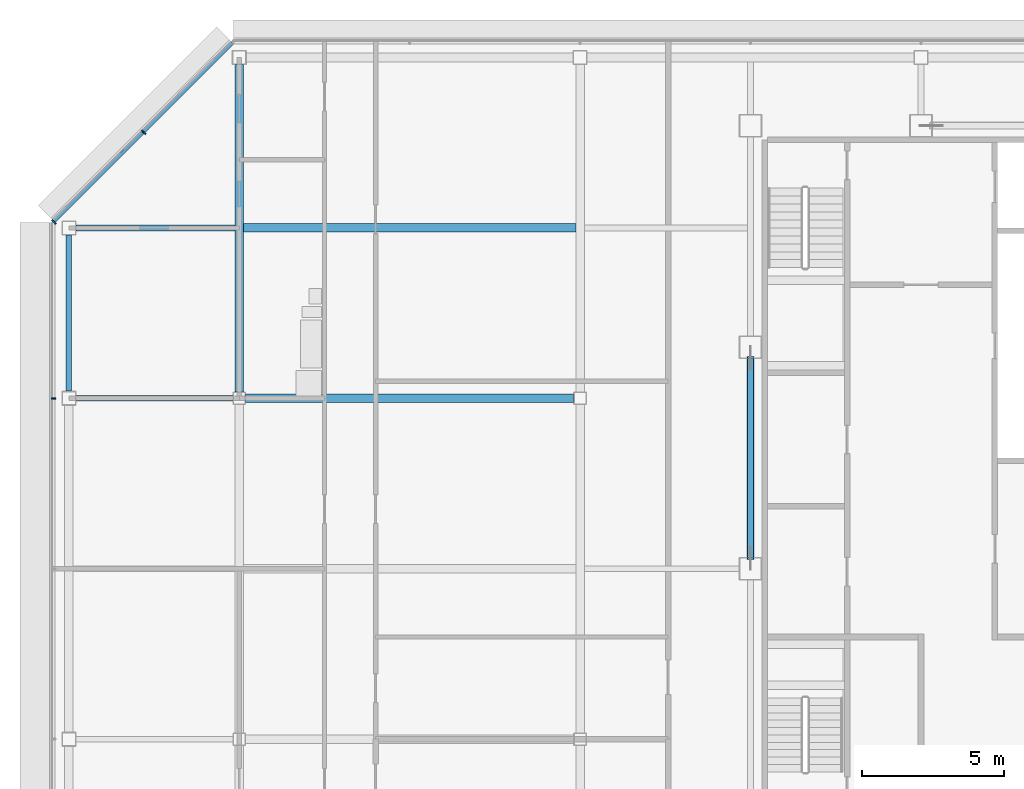
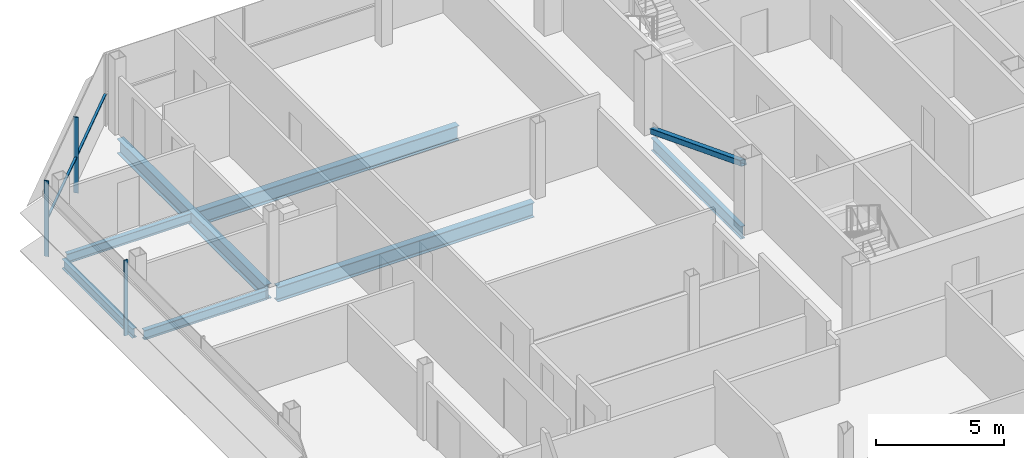
# One storey, part 13 of 28: 7 beams, 5 members, 2 elements without a shape of their own.
"""IFC4 building model written with IfcOpenShell, lengths in metres."""

from ifc_helpers import new_model, si_unit, direction, frame, origin, origin_2d, place, context, subcontext, project, spatial, rectangle, hollow_rectangle, i_section, extrude, material, material_profile, profile_set, type_object, element, aggregate, save


model = new_model("IFC4")

# Units and contexts
model_context = context("Model", 3, precision=1e-05, world=origin(), true_north=direction((0.0, 1.0)))
body_context = subcontext(model_context, "Body", "Model", "MODEL_VIEW")
ifc_project = project(units=[si_unit("LENGTHUNIT", "METRE"), si_unit("AREAUNIT", "SQUARE_METRE"), si_unit("VOLUMEUNIT", "CUBIC_METRE"), si_unit("PLANEANGLEUNIT", "RADIAN"), si_unit("MASSUNIT", "GRAM", prefix="KILO")], contexts=[model_context])

# Site, building, storey
site_placement = place(None, origin())
site = spatial("IfcSite", under=ifc_project, at=site_placement, CompositionType="ELEMENT")
building_placement = place(site_placement, origin())
building = spatial("IfcBuilding", under=site, at=building_placement, Name="Sorahane Residences", CompositionType="ELEMENT")
storey_placement = place(building_placement, frame((0.0, 0.0, 308.800048828125)))
storey = spatial("IfcBuildingStorey", under=building, at=storey_placement, Name="L73", CompositionType="ELEMENT", Elevation=308.800048828125)

# Member
ifc_material_1 = material(Name="Steel Q355B", Category="steel")
ifc_material_profile_1 = material_profile(ifc_material_1, hollow_rectangle(XDim=0.25, YDim=0.25, WallThickness=0.011962890625, InnerFilletRadius=0.006103515625, OuterFilletRadius=0.01806640625, at=origin_2d()), Name="RHS 250x250x12")
ifc_profile_set_1 = profile_set([ifc_material_profile_1], Name="Steel Q355B")
member_type_1 = type_object("IfcMemberType", Name="Core brace RHS 250x250x12 Q355B", PredefinedType="BRACE", material=ifc_profile_set_1)
member_1_placement = place(storey_placement, frame((6.0, 37.42724609375, 0.114501953125), z_axis=(0.0, -0.932112994653, 0.362167592697), x_axis=(1.0, 0.0, 0.0)))
element("IfcMember", 1, at=member_1_placement, inside=storey, type_object=member_type_1, Name="Core brace L73 x6-2", PredefinedType="BRACE", context=body_context, shape_type="SweptSolid", body=[
    extrude(hollow_rectangle(XDim=0.25, YDim=0.25, WallThickness=0.011962890625, InnerFilletRadius=0.006103515625, OuterFilletRadius=0.01806640625, at=origin_2d()), origin(), (0.0, 0.0, 1.0), 7.568115234375),
])

# Curtain wall, member
ifc_material_2 = material(Name="Dark low-e glass and black anodised aluminium", Category="aluminium")
curtain_wall_type_1 = type_object("IfcCurtainWallType", Name="Curtain wall CW-1 Typical unitised wall", PredefinedType="NOTDEFINED", material=ifc_material_2)
curtain_wall_1_placement = place(storey_placement, origin())
curtain_wall_1 = element("IfcCurtainWall", 2, at=curtain_wall_1_placement, inside=storey, type_object=curtain_wall_type_1, Name="CW-1 curtain wall L73 W1", PredefinedType="NOTDEFINED")
ifc_material_3 = material(Name="Black anodised aluminium", Category="aluminium")
ifc_material_profile_2 = material_profile(ifc_material_3, rectangle(XDim=0.159912109375, YDim=0.050048828125, at=origin_2d()), Name="Curtain wall mullion CW-1 black anodised aluminium 50x160")
ifc_profile_set_2 = profile_set([ifc_material_profile_2], Name="Black anodised aluminium")
member_type_2 = type_object("IfcMemberType", Name="Curtain wall mullion CW-1 black anodised aluminium 50x160", PredefinedType="MULLION", material=ifc_profile_set_2)
member_2_placement = place(storey_placement, frame((-18.5400390625, 36.0, -0.179931640625), z_axis=(0.0, 0.0, 1.0), x_axis=(-1.0, 0.0, 0.0)))
member_2 = element("IfcMember", 3, at=member_2_placement, type_object=member_type_2, Name="CW-1 mullion L73 W1.2", PredefinedType="MULLION", context=body_context, shape_type="SweptSolid", body=[
    extrude(rectangle(XDim=0.159912109375, YDim=0.050048828125, at=origin_2d()), origin(), (0.0, 0.0, 1.0), 3.599853515625),
])
aggregate(curtain_wall_1, [member_2])

# Curtain wall, members
ifc_material_4 = material(Name="Dark low-e glass and black anodised aluminium", Category="aluminium")
curtain_wall_type_2 = type_object("IfcCurtainWallType", Name="Curtain wall CW-2 Chamfer unitised wall", PredefinedType="NOTDEFINED", material=ifc_material_4)
curtain_wall_2_placement = place(storey_placement, origin())
curtain_wall_2 = element("IfcCurtainWall", 4, at=curtain_wall_2_placement, inside=storey, type_object=curtain_wall_type_2, Name="CW-2 curtain wall L73 NW1", PredefinedType="NOTDEFINED")
ifc_material_5 = material(Name="Black anodised aluminium", Category="aluminium")
ifc_material_profile_3 = material_profile(ifc_material_5, rectangle(XDim=0.199951171875, YDim=0.050048828125, at=origin_2d()), Name="Curtain wall mullion CW-2 black anodised aluminium 50x200")
ifc_profile_set_3 = profile_set([ifc_material_profile_3], Name="Black anodised aluminium")
member_type_3 = type_object("IfcMemberType", Name="Curtain wall mullion CW-2 black anodised aluminium 50x200", PredefinedType="MULLION", material=ifc_profile_set_3)
member_3_placement = place(storey_placement, frame((-15.36767578125, 45.36767578125, -0.179931640625), z_axis=(0.0, 0.0, 1.0), x_axis=(-0.707106781187, 0.707106781187, 0.0)))
member_3 = element("IfcMember", 5, at=member_3_placement, type_object=member_type_3, Name="CW-2 mullion L73 NW1.2", PredefinedType="MULLION", context=body_context, shape_type="SweptSolid", body=[
    extrude(rectangle(XDim=0.199951171875, YDim=0.050048828125, at=origin_2d()), origin(), (0.0, 0.0, 1.0), 3.599853515625),
])
member_4_placement = place(storey_placement, frame((-18.525634765625, 42.209716796875, -0.179931640625), z_axis=(0.0, 0.0, 1.0), x_axis=(-0.707106781187, 0.707106781187, 0.0)))
member_4 = element("IfcMember", 6, at=member_4_placement, type_object=member_type_3, Name="CW-2 mullion L73 NW1.3", PredefinedType="MULLION", context=body_context, shape_type="SweptSolid", body=[
    extrude(rectangle(XDim=0.199951171875, YDim=0.050048828125, at=origin_2d()), origin(), (0.0, 0.0, 1.0), 3.599853515625),
])
ifc_material_6 = material(Name="Black anodised aluminium", Category="aluminium")
ifc_material_profile_4 = material_profile(ifc_material_6, rectangle(XDim=0.10009765625, YDim=0.06005859375, at=origin_2d()), Name="Curtain wall transom CW-2 black anodised aluminium 60x100")
ifc_profile_set_4 = profile_set([ifc_material_profile_4], Name="Black anodised aluminium")
member_type_4 = type_object("IfcMemberType", Name="Curtain wall transom CW-2 black anodised aluminium 60x100", PredefinedType="USERDEFINED", material=ifc_profile_set_4)
member_5_placement = place(storey_placement, frame((-12.234375, 48.51513671875, 1.5), z_axis=(-0.707106781187, -0.707106781187, 0.0), x_axis=(0.707106781187, -0.707106781187, 0.0)))
member_5 = element("IfcMember", 7, at=member_5_placement, type_object=member_type_4, Name="CW-2 transom L73 NW1", ObjectType="TRANSOM", PredefinedType="USERDEFINED", context=body_context, shape_type="SweptSolid", body=[
    extrude(rectangle(XDim=0.10009765625, YDim=0.06005859375, at=origin_2d()), origin(), (0.0, 0.0, 1.0), 8.88232421875),
])
aggregate(curtain_wall_2, [member_3, member_4, member_5])

# Beams
ifc_material_7 = material(Name="Steel Q355B", Category="steel")
ifc_material_profile_5 = material_profile(ifc_material_7, i_section(OverallWidth=0.199951171875, OverallDepth=0.449951171875, WebThickness=0.009033203125, FlangeThickness=0.013916015625, FilletRadius=0.02001953125, at=origin_2d()), Name="HN 450x200x9x14")
ifc_profile_set_5 = profile_set([ifc_material_profile_5], Name="Steel Q355B")
beam_type_1 = type_object("IfcBeamType", Name="Steel floor beam HN 450x200x9x14 Q355B", PredefinedType="BEAM", material=ifc_profile_set_5)
beam_1_placement = place(storey_placement, frame((-17.75, 36.0, -0.405029296875), z_axis=(1.0, 0.0, 0.0), x_axis=(0.0, 1.0, 0.0)))
element("IfcBeam", 8, at=beam_1_placement, inside=storey, type_object=beam_type_1, Name="Beam L73 013", PredefinedType="BEAM", context=body_context, shape_type="SweptSolid", body=[
    extrude(i_section(OverallWidth=0.199951171875, OverallDepth=0.449951171875, WebThickness=0.009033203125, FlangeThickness=0.013916015625, FilletRadius=0.02001953125, at=origin_2d()), origin(), (0.0, 0.0, 1.0), 5.52490234375),
])
beam_2_placement = place(storey_placement, frame((-18.0, 36.25, -0.405029296875), z_axis=(0.0, 1.0, 0.0), x_axis=(-1.0, 0.0, 0.0)))
element("IfcBeam", 9, at=beam_2_placement, inside=storey, type_object=beam_type_1, Name="Beam L73 023", PredefinedType="BEAM", context=body_context, shape_type="SweptSolid", body=[
    extrude(i_section(OverallWidth=0.199951171875, OverallDepth=0.449951171875, WebThickness=0.009033203125, FlangeThickness=0.013916015625, FilletRadius=0.02001953125, at=origin_2d()), origin(), (0.0, 0.0, 1.0), 5.5),
])
beam_3_placement = place(storey_placement, frame((-17.75, 42.0, -0.405029296875), z_axis=(1.0, 0.0, 0.0), x_axis=(0.0, 1.0, 0.0)))
element("IfcBeam", 10, at=beam_3_placement, inside=storey, type_object=beam_type_1, Name="Beam L73 087", PredefinedType="BEAM", context=body_context, shape_type="SweptSolid", body=[
    extrude(i_section(OverallWidth=0.199951171875, OverallDepth=0.449951171875, WebThickness=0.009033203125, FlangeThickness=0.013916015625, FilletRadius=0.02001953125, at=origin_2d()), origin(), (0.0, 0.0, 1.0), 5.60009765625),
])
ifc_material_8 = material(Name="Steel Q355B", Category="steel")
ifc_material_profile_6 = material_profile(ifc_material_8, i_section(OverallWidth=0.199951171875, OverallDepth=0.60009765625, WebThickness=0.010986328125, FlangeThickness=0.01708984375, FilletRadius=0.02392578125, at=origin_2d()), Name="HN 600x200x11x17")
ifc_profile_set_6 = profile_set([ifc_material_profile_6], Name="Steel Q355B")
beam_type_2 = type_object("IfcBeamType", Name="Steel floor beam HN 600x200x11x17 Q355B", PredefinedType="BEAM", material=ifc_profile_set_6)
beam_4_placement = place(storey_placement, frame((6.0, 30.39990234375, -0.47998046875), z_axis=(0.0, 1.0, 0.0), x_axis=(-1.0, 0.0, 0.0)))
element("IfcBeam", 11, at=beam_4_placement, inside=storey, type_object=beam_type_2, Name="Beam L73 035", PredefinedType="BEAM", context=body_context, shape_type="SweptSolid", body=[
    extrude(i_section(OverallWidth=0.199951171875, OverallDepth=0.60009765625, WebThickness=0.010986328125, FlangeThickness=0.01708984375, FilletRadius=0.02392578125, at=origin_2d()), origin(), (0.0, 0.0, 1.0), 7.0),
])
ifc_material_9 = material(Name="Steel Q355B", Category="steel")
ifc_material_profile_7 = material_profile(ifc_material_9, i_section(OverallWidth=0.300048828125, OverallDepth=0.699951171875, WebThickness=0.012939453125, FlangeThickness=0.02392578125, FilletRadius=0.028076171875, at=origin_2d()), Name="HN 700x300x13x24")
ifc_profile_set_7 = profile_set([ifc_material_profile_7], Name="Steel Q355B")
beam_type_3 = type_object("IfcBeamType", Name="Steel floor beam HN 700x300x13x24 Q355B", PredefinedType="BEAM", material=ifc_profile_set_7)
beam_5_placement = place(storey_placement, frame((-11.77490234375, 36.0, -0.530029296875), z_axis=(1.0, 0.0, 0.0), x_axis=(0.0, 1.0, 0.0)))
element("IfcBeam", 12, at=beam_5_placement, inside=storey, type_object=beam_type_3, Name="Beam L73 014", PredefinedType="BEAM", context=body_context, shape_type="SweptSolid", body=[
    extrude(i_section(OverallWidth=0.300048828125, OverallDepth=0.699951171875, WebThickness=0.012939453125, FlangeThickness=0.02392578125, FilletRadius=0.028076171875, at=origin_2d()), origin(), (0.0, 0.0, 1.0), 11.5498046875),
])
beam_6_placement = place(storey_placement, frame((-12.0, 36.22509765625, -0.530029296875), z_axis=(0.0, 1.0, 0.0), x_axis=(-1.0, 0.0, 0.0)))
element("IfcBeam", 13, at=beam_6_placement, inside=storey, type_object=beam_type_3, Name="Beam L73 027", PredefinedType="BEAM", context=body_context, shape_type="SweptSolid", body=[
    extrude(i_section(OverallWidth=0.300048828125, OverallDepth=0.699951171875, WebThickness=0.012939453125, FlangeThickness=0.02392578125, FilletRadius=0.028076171875, at=origin_2d()), origin(), (0.0, 0.0, 1.0), 11.52490234375),
])
beam_7_placement = place(storey_placement, frame((-11.85009765625, 42.0, -0.530029296875), z_axis=(1.0, 0.0, 0.0), x_axis=(0.0, 1.0, 0.0)))
element("IfcBeam", 14, at=beam_7_placement, inside=storey, type_object=beam_type_3, Name="Beam L73 088", PredefinedType="BEAM", context=body_context, shape_type="SweptSolid", body=[
    extrude(i_section(OverallWidth=0.300048828125, OverallDepth=0.699951171875, WebThickness=0.012939453125, FlangeThickness=0.02392578125, FilletRadius=0.028076171875, at=origin_2d()), origin(), (0.0, 0.0, 1.0), 11.7001953125),
])

save(model, "model.ifc")
